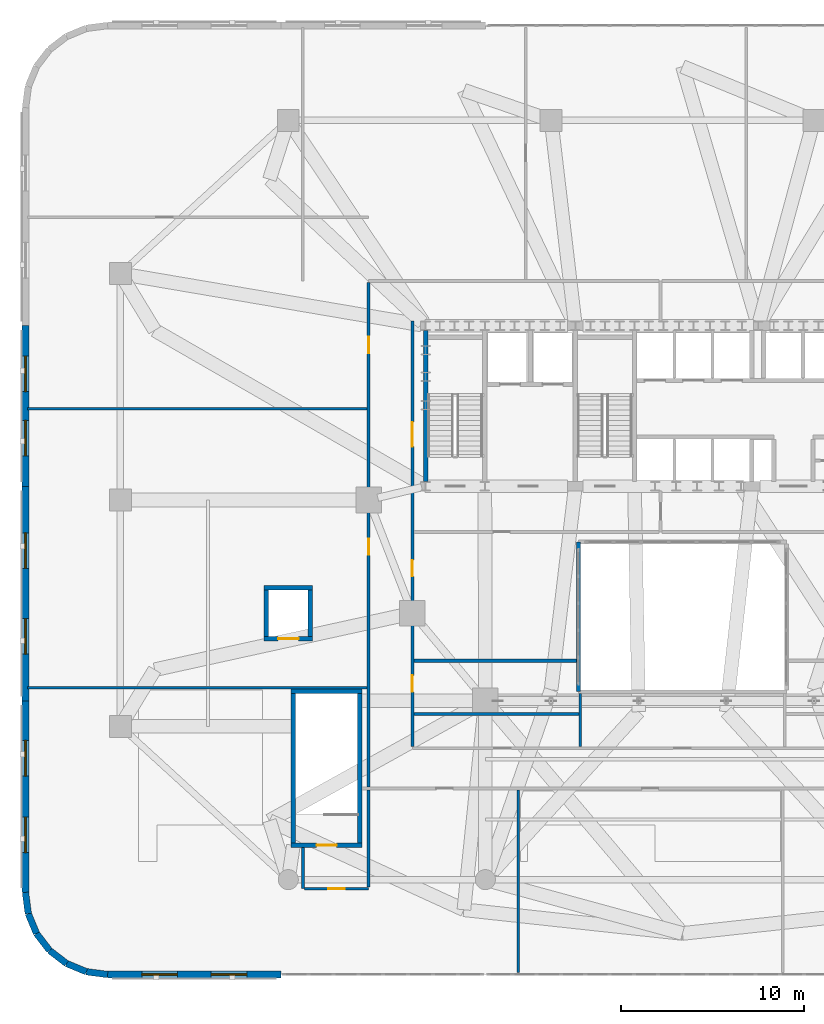
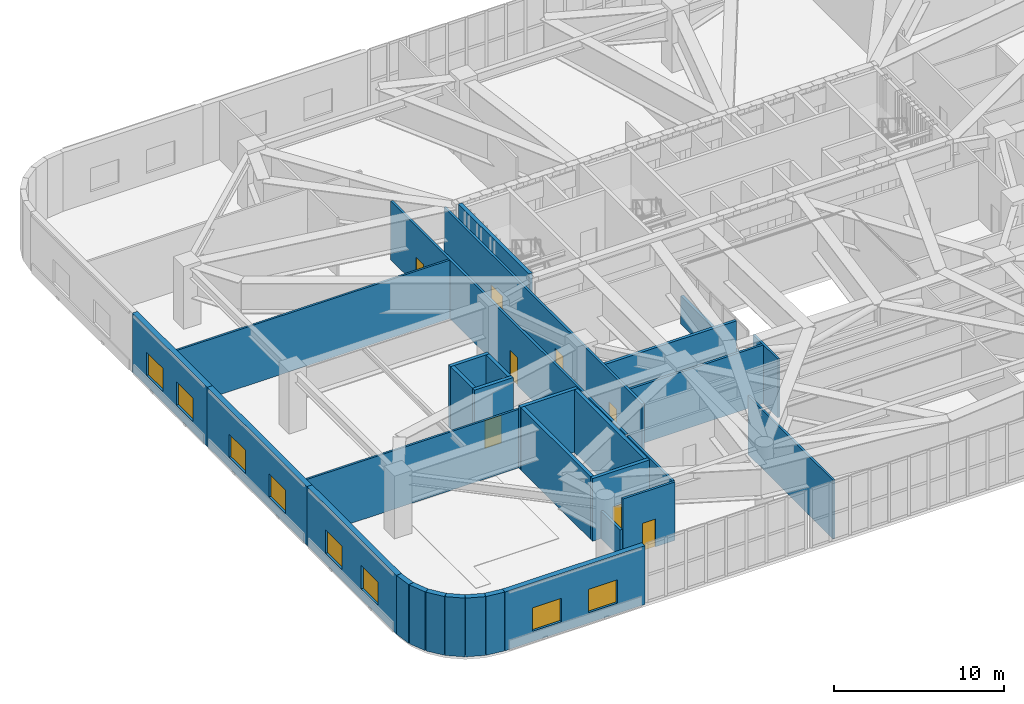
# One storey, part 15 of 26: 31 walls, 8 doors, 8 windows, 16 openings.
"""IFC4 building model written with IfcOpenShell, lengths in metres."""

from ifc_helpers import new_model, si_unit, direction, frame, frame_2d, origin, place, context, subcontext, project, spatial, rectangle, extrude, material, layer, layer_set, type_object, element, fill, save


model = new_model("IFC4")

# Units and contexts
model_context = context("Model", 3, precision=1e-05, world=origin(), true_north=direction((0.0, 1.0)))
body_context = subcontext(model_context, "Body", "Model", "MODEL_VIEW")
ifc_project = project(units=[si_unit("LENGTHUNIT", "METRE"), si_unit("AREAUNIT", "SQUARE_METRE"), si_unit("VOLUMEUNIT", "CUBIC_METRE"), si_unit("PLANEANGLEUNIT", "RADIAN"), si_unit("MASSUNIT", "GRAM", prefix="KILO")], contexts=[model_context])

# Site, building, storey
site_placement = place(None, origin())
site = spatial("IfcSite", under=ifc_project, at=site_placement, CompositionType="ELEMENT")
building_placement = place(site_placement, origin())
building = spatial("IfcBuilding", under=site, at=building_placement, Name="Haldorwick Loom Tower", CompositionType="ELEMENT")
storey_placement = place(building_placement, frame((0.0, 0.0, 19.5)))
storey = spatial("IfcBuildingStorey", under=building, at=storey_placement, Name="L04", CompositionType="ELEMENT", Elevation=19.5)

# Wall, openings, windows
ifc_material_1 = material(Name="Pressed Clay Face Brick and Insulated Masonry Backup Assembly", Category="masonry")
ifc_layer_1 = layer(ifc_material_1, 0.360107421875, Name="Pressed Clay Face Brick and Insulated Masonry Backup Assembly", Category="masonry")
ifc_layer_set_1 = layer_set([ifc_layer_1], Name="Pressed Clay Face Brick and Insulated Masonry Backup Assembly")
wall_type_1 = type_object("IfcWallType", Name="ARC-WL-EXT360", PredefinedType="STANDARD", material=ifc_layer_set_1)
wall_1_placement = place(storey_placement, frame((0.0, 35.550048828125, 0.0), z_axis=(0.0, 0.0, 1.0), x_axis=(0.0, -1.0, 0.0)))
wall_1 = element("IfcWall", 1, at=wall_1_placement, inside=storey, type_object=wall_type_1, Name="L04 Brick Pier and Spandrel Wall 29", PredefinedType="STANDARD", context=body_context, shape_type="SweptSolid", body=[
    extrude(rectangle(XDim=8.800048828125, YDim=0.360107421875, at=frame_2d((4.39990234375, 0.0))), origin(), (0.0, 0.0, 1.0), 4.219970703125),
])
opening_1_placement = place(wall_1_placement, frame((1.6650390625, 0.0, 0.75)))
opening_1 = element("IfcOpeningElement", 2, at=opening_1_placement, cuts=wall_1, Name="Opening W-04B", PredefinedType="OPENING", context=body_context, shape_type="SweptSolid", body=[
    extrude(rectangle(XDim=1.949951171875, YDim=1.679931640625, at=frame_2d((0.97509765625, 0.83984375))), frame((0.0, 0.18994140625, 0.0), z_axis=(0.0, -1.0, 0.0), x_axis=(1.0, 0.0, 0.0)), (0.0, 0.0, 1.0), 0.380126953125),
])
opening_2_placement = place(wall_1_placement, frame((5.18505859375, 0.0, 0.75)))
opening_2 = element("IfcOpeningElement", 3, at=opening_2_placement, cuts=wall_1, Name="Opening W-04B", PredefinedType="OPENING", context=body_context, shape_type="SweptSolid", body=[
    extrude(rectangle(XDim=1.949951171875, YDim=1.679931640625, at=frame_2d((0.97509765625, 0.83984375))), frame((0.0, 0.18994140625, 0.0), z_axis=(0.0, -1.0, 0.0), x_axis=(1.0, 0.0, 0.0)), (0.0, 0.0, 1.0), 0.380126953125),
])
ifc_material_2 = material(Name="Triple-Glazed Low-E Argon Insulated Glazing Unit", Category="glass")
window_type = type_object("IfcWindowType", Name="ARC-WIN-W195", PartitioningType="SINGLE_PANEL", PredefinedType="WINDOW", material=ifc_material_2)
window_1_placement = place(opening_1_placement, origin())
window_1 = element("IfcWindow", 4, at=window_1_placement, inside=storey, type_object=window_type, Name="L04 Deep-Set Zone 7A Window 29", OverallHeight=1.679931640625, OverallWidth=1.949951171875, PartitioningType="SINGLE_PANEL", PredefinedType="WINDOW", context=body_context, shape_type="SweptSolid", body=[
    extrude(rectangle(XDim=1.949951171875, YDim=1.679931640625, at=frame_2d((0.97509765625, 0.83984375))), frame((0.0, 0.030029296875, 0.0), z_axis=(0.0, -1.0, 0.0), x_axis=(1.0, 0.0, 0.0)), (0.0, 0.0, 1.0), 0.06005859375),
])
fill(opening_1, window_1)
window_2_placement = place(opening_2_placement, origin())
window_2 = element("IfcWindow", 5, at=window_2_placement, inside=storey, type_object=window_type, Name="L04 Deep-Set Zone 7A Window 29", OverallHeight=1.679931640625, OverallWidth=1.949951171875, PartitioningType="SINGLE_PANEL", PredefinedType="WINDOW", context=body_context, shape_type="SweptSolid", body=[
    extrude(rectangle(XDim=1.949951171875, YDim=1.679931640625, at=frame_2d((0.97509765625, 0.83984375))), frame((0.0, 0.030029296875, 0.0), z_axis=(0.0, -1.0, 0.0), x_axis=(1.0, 0.0, 0.0)), (0.0, 0.0, 1.0), 0.06005859375),
])
fill(opening_2, window_2)

wall_2_placement = place(storey_placement, frame((0.0, 26.75, 0.0), z_axis=(0.0, 0.0, 1.0), x_axis=(0.0, -1.0, 0.0)))
wall_2 = element("IfcWall", 6, at=wall_2_placement, inside=storey, type_object=wall_type_1, Name="L04 Brick Pier and Spandrel Wall 30", PredefinedType="STANDARD", context=body_context, shape_type="SweptSolid", body=[
    extrude(rectangle(XDim=11.75, YDim=0.360107421875, at=frame_2d((5.875, 0.0))), origin(), (0.0, 0.0, 1.0), 4.219970703125),
])
opening_3_placement = place(wall_2_placement, frame((2.550048828125, 0.0, 0.75)))
opening_3 = element("IfcOpeningElement", 7, at=opening_3_placement, cuts=wall_2, Name="Opening W-04B", PredefinedType="OPENING", context=body_context, shape_type="SweptSolid", body=[
    extrude(rectangle(XDim=1.949951171875, YDim=1.679931640625, at=frame_2d((0.97509765625, 0.83984375))), frame((0.0, 0.18994140625, 0.0), z_axis=(0.0, -1.0, 0.0), x_axis=(1.0, 0.0, 0.0)), (0.0, 0.0, 1.0), 0.380126953125),
])
opening_4_placement = place(wall_2_placement, frame((7.25, 0.0, 0.75)))
opening_4 = element("IfcOpeningElement", 8, at=opening_4_placement, cuts=wall_2, Name="Opening W-04B", PredefinedType="OPENING", context=body_context, shape_type="SweptSolid", body=[
    extrude(rectangle(XDim=1.949951171875, YDim=1.679931640625, at=frame_2d((0.97509765625, 0.83984375))), frame((0.0, 0.18994140625, 0.0), z_axis=(0.0, -1.0, 0.0), x_axis=(1.0, 0.0, 0.0)), (0.0, 0.0, 1.0), 0.380126953125),
])
window_3_placement = place(opening_3_placement, origin())
window_3 = element("IfcWindow", 9, at=window_3_placement, inside=storey, type_object=window_type, Name="L04 Deep-Set Zone 7A Window 30", OverallHeight=1.679931640625, OverallWidth=1.949951171875, PartitioningType="SINGLE_PANEL", PredefinedType="WINDOW", context=body_context, shape_type="SweptSolid", body=[
    extrude(rectangle(XDim=1.949951171875, YDim=1.679931640625, at=frame_2d((0.97509765625, 0.83984375))), frame((0.0, 0.030029296875, 0.0), z_axis=(0.0, -1.0, 0.0), x_axis=(1.0, 0.0, 0.0)), (0.0, 0.0, 1.0), 0.06005859375),
])
fill(opening_3, window_3)
window_4_placement = place(opening_4_placement, origin())
window_4 = element("IfcWindow", 10, at=window_4_placement, inside=storey, type_object=window_type, Name="L04 Deep-Set Zone 7A Window 30", OverallHeight=1.679931640625, OverallWidth=1.949951171875, PartitioningType="SINGLE_PANEL", PredefinedType="WINDOW", context=body_context, shape_type="SweptSolid", body=[
    extrude(rectangle(XDim=1.949951171875, YDim=1.679931640625, at=frame_2d((0.97509765625, 0.83984375))), frame((0.0, 0.030029296875, 0.0), z_axis=(0.0, -1.0, 0.0), x_axis=(1.0, 0.0, 0.0)), (0.0, 0.0, 1.0), 0.06005859375),
])
fill(opening_4, window_4)

wall_3_placement = place(storey_placement, frame((0.0, 15.0, 0.0), z_axis=(0.0, 0.0, 1.0), x_axis=(0.0, -1.0, 0.0)))
wall_3 = element("IfcWall", 11, at=wall_3_placement, inside=storey, type_object=wall_type_1, Name="L04 Brick Pier and Spandrel Wall 31", PredefinedType="STANDARD", context=body_context, shape_type="SweptSolid", body=[
    extrude(rectangle(XDim=10.5, YDim=0.360107421875, at=frame_2d((5.25, 0.0))), origin(), (0.0, 0.0, 1.0), 4.219970703125),
])
opening_5_placement = place(wall_3_placement, frame((2.175048828125, 0.0, 0.75)))
opening_5 = element("IfcOpeningElement", 12, at=opening_5_placement, cuts=wall_3, Name="Opening W-04B", PredefinedType="OPENING", context=body_context, shape_type="SweptSolid", body=[
    extrude(rectangle(XDim=1.949951171875, YDim=1.679931640625, at=frame_2d((0.97509765625, 0.83984375))), frame((0.0, 0.18994140625, 0.0), z_axis=(0.0, -1.0, 0.0), x_axis=(1.0, 0.0, 0.0)), (0.0, 0.0, 1.0), 0.380126953125),
])
opening_6_placement = place(wall_3_placement, frame((6.375, 0.0, 0.75)))
opening_6 = element("IfcOpeningElement", 13, at=opening_6_placement, cuts=wall_3, Name="Opening W-04B", PredefinedType="OPENING", context=body_context, shape_type="SweptSolid", body=[
    extrude(rectangle(XDim=1.949951171875, YDim=1.679931640625, at=frame_2d((0.97509765625, 0.83984375))), frame((0.0, 0.18994140625, 0.0), z_axis=(0.0, -1.0, 0.0), x_axis=(1.0, 0.0, 0.0)), (0.0, 0.0, 1.0), 0.380126953125),
])
window_5_placement = place(opening_5_placement, origin())
window_5 = element("IfcWindow", 14, at=window_5_placement, inside=storey, type_object=window_type, Name="L04 Deep-Set Zone 7A Window 31", OverallHeight=1.679931640625, OverallWidth=1.949951171875, PartitioningType="SINGLE_PANEL", PredefinedType="WINDOW", context=body_context, shape_type="SweptSolid", body=[
    extrude(rectangle(XDim=1.949951171875, YDim=1.679931640625, at=frame_2d((0.97509765625, 0.83984375))), frame((0.0, 0.030029296875, 0.0), z_axis=(0.0, -1.0, 0.0), x_axis=(1.0, 0.0, 0.0)), (0.0, 0.0, 1.0), 0.06005859375),
])
fill(opening_5, window_5)
window_6_placement = place(opening_6_placement, origin())
window_6 = element("IfcWindow", 15, at=window_6_placement, inside=storey, type_object=window_type, Name="L04 Deep-Set Zone 7A Window 31", OverallHeight=1.679931640625, OverallWidth=1.949951171875, PartitioningType="SINGLE_PANEL", PredefinedType="WINDOW", context=body_context, shape_type="SweptSolid", body=[
    extrude(rectangle(XDim=1.949951171875, YDim=1.679931640625, at=frame_2d((0.97509765625, 0.83984375))), frame((0.0, 0.030029296875, 0.0), z_axis=(0.0, -1.0, 0.0), x_axis=(1.0, 0.0, 0.0)), (0.0, 0.0, 1.0), 0.06005859375),
])
fill(opening_6, window_6)

# Walls
wall_4_placement = place(storey_placement, frame((0.0, 4.5, 0.0), z_axis=(0.0, 0.0, 1.0), x_axis=(0.130502892298, -0.991447928588, 0.0)))
element("IfcWall", 16, at=wall_4_placement, inside=storey, type_object=wall_type_1, Name="L04 Brick Pier and Spandrel Wall 32", PredefinedType="STANDARD", context=body_context, shape_type="SweptSolid", body=[
    extrude(rectangle(XDim=1.1748046875, YDim=0.360107421875, at=frame_2d((0.58740234375, 0.0))), origin(), (0.0, 0.0, 1.0), 4.219970703125),
])
wall_5_placement = place(storey_placement, frame((0.1533203125, 3.335205078125, 0.0), z_axis=(0.0, 0.0, 1.0), x_axis=(0.382651625058, -0.923892706888, 0.0)))
element("IfcWall", 17, at=wall_5_placement, inside=storey, type_object=wall_type_1, Name="L04 Brick Pier and Spandrel Wall 33", PredefinedType="STANDARD", context=body_context, shape_type="SweptSolid", body=[
    extrude(rectangle(XDim=1.174560546875, YDim=0.360107421875, at=frame_2d((0.58740234375, 0.0))), origin(), (0.0, 0.0, 1.0), 4.219970703125),
])
for number, where, z_axis, x_axis, name in (
    (18, (0.602783203125, 2.25, 0.0), (0.0, 0.0, 1.0), (0.60890698735, -0.79324162823, 0.0), "L04 Brick Pier and Spandrel Wall 34"),
    (19, (1.318115234375, 1.318115234375, 0.0), (0.0, 0.0, 1.0), (0.79324162823, -0.60890698735, 0.0), "L04 Brick Pier and Spandrel Wall 35"),
):
    element("IfcWall", number, at=place(storey_placement, frame(where, z_axis=z_axis, x_axis=x_axis)), inside=storey, type_object=wall_type_1, Name=name, PredefinedType="STANDARD", context=body_context, shape_type="SweptSolid", body=[
        extrude(rectangle(XDim=1.1748046875, YDim=0.360107421875, at=frame_2d((0.58740234375, 0.0))), origin(), (0.0, 0.0, 1.0), 4.219970703125),
    ])
wall_6_placement = place(storey_placement, frame((2.25, 0.602783203125, 0.0), z_axis=(0.0, 0.0, 1.0), x_axis=(0.923892706888, -0.382651625058, 0.0)))
element("IfcWall", 20, at=wall_6_placement, inside=storey, type_object=wall_type_1, Name="L04 Brick Pier and Spandrel Wall 36", PredefinedType="STANDARD", context=body_context, shape_type="SweptSolid", body=[
    extrude(rectangle(XDim=1.174560546875, YDim=0.360107421875, at=frame_2d((0.58740234375, 0.0))), origin(), (0.0, 0.0, 1.0), 4.219970703125),
])
wall_7_placement = place(storey_placement, frame((3.335205078125, 0.1533203125, 0.0), z_axis=(0.0, 0.0, 1.0), x_axis=(0.991447928588, -0.130502892298, 0.0)))
element("IfcWall", 21, at=wall_7_placement, inside=storey, type_object=wall_type_1, Name="L04 Brick Pier and Spandrel Wall 37", PredefinedType="STANDARD", context=body_context, shape_type="SweptSolid", body=[
    extrude(rectangle(XDim=1.1748046875, YDim=0.360107421875, at=frame_2d((0.58740234375, 0.0))), origin(), (0.0, 0.0, 1.0), 4.219970703125),
])

# Wall, openings, windows
wall_8_placement = place(storey_placement, frame((4.5, 0.0, 0.0), z_axis=(0.0, 0.0, 1.0), x_axis=(1.0, 0.0, 0.0)))
wall_8 = element("IfcWall", 22, at=wall_8_placement, inside=storey, type_object=wall_type_1, Name="L04 Brick Pier and Spandrel Wall 38", PredefinedType="STANDARD", context=body_context, shape_type="SweptSolid", body=[
    extrude(rectangle(XDim=9.5, YDim=0.360107421875, at=frame_2d((4.75, 0.0))), origin(), (0.0, 0.0, 1.0), 4.219970703125),
])
opening_7_placement = place(wall_8_placement, frame((1.875, 0.0, 0.75)))
opening_7 = element("IfcOpeningElement", 23, at=opening_7_placement, cuts=wall_8, Name="Opening W-04B", PredefinedType="OPENING", context=body_context, shape_type="SweptSolid", body=[
    extrude(rectangle(XDim=1.949951171875, YDim=1.679931640625, at=frame_2d((0.97509765625, 0.83984375))), frame((0.0, 0.18994140625, 0.0), z_axis=(0.0, -1.0, 0.0), x_axis=(1.0, 0.0, 0.0)), (0.0, 0.0, 1.0), 0.380126953125),
])
opening_8_placement = place(wall_8_placement, frame((5.675048828125, 0.0, 0.75)))
opening_8 = element("IfcOpeningElement", 24, at=opening_8_placement, cuts=wall_8, Name="Opening W-04B", PredefinedType="OPENING", context=body_context, shape_type="SweptSolid", body=[
    extrude(rectangle(XDim=1.949951171875, YDim=1.679931640625, at=frame_2d((0.97509765625, 0.83984375))), frame((0.0, 0.18994140625, 0.0), z_axis=(0.0, -1.0, 0.0), x_axis=(1.0, 0.0, 0.0)), (0.0, 0.0, 1.0), 0.380126953125),
])
window_7_placement = place(opening_7_placement, origin())
window_7 = element("IfcWindow", 25, at=window_7_placement, inside=storey, type_object=window_type, Name="L04 Deep-Set Zone 7A Window 38", OverallHeight=1.679931640625, OverallWidth=1.949951171875, PartitioningType="SINGLE_PANEL", PredefinedType="WINDOW", context=body_context, shape_type="SweptSolid", body=[
    extrude(rectangle(XDim=1.949951171875, YDim=1.679931640625, at=frame_2d((0.97509765625, 0.83984375))), frame((0.0, 0.030029296875, 0.0), z_axis=(0.0, -1.0, 0.0), x_axis=(1.0, 0.0, 0.0)), (0.0, 0.0, 1.0), 0.06005859375),
])
fill(opening_7, window_7)
window_8_placement = place(opening_8_placement, origin())
window_8 = element("IfcWindow", 26, at=window_8_placement, inside=storey, type_object=window_type, Name="L04 Deep-Set Zone 7A Window 38", OverallHeight=1.679931640625, OverallWidth=1.949951171875, PartitioningType="SINGLE_PANEL", PredefinedType="WINDOW", context=body_context, shape_type="SweptSolid", body=[
    extrude(rectangle(XDim=1.949951171875, YDim=1.679931640625, at=frame_2d((0.97509765625, 0.83984375))), frame((0.0, 0.030029296875, 0.0), z_axis=(0.0, -1.0, 0.0), x_axis=(1.0, 0.0, 0.0)), (0.0, 0.0, 1.0), 0.06005859375),
])
fill(opening_8, window_8)

# Wall
ifc_material_3 = material(Name="Fire-Rated Type X Gypsum Stud Assembly EI 60")
ifc_layer_2 = layer(ifc_material_3, 0.159912109375, Name="Fire-Rated Type X Gypsum Stud Assembly EI 60")
ifc_layer_set_2 = layer_set([ifc_layer_2], Name="Fire-Rated Type X Gypsum Stud Assembly EI 60")
wall_type_2 = type_object("IfcWallType", Name="ARC-WL-FIRE160", PredefinedType="PARTITIONING", material=ifc_layer_set_2)
wall_9_placement = place(storey_placement, frame((15.199951171875, 4.699951171875, 0.0), z_axis=(0.0, 0.0, 1.0), x_axis=(0.0, 1.0, 0.0)))
element("IfcWall", 27, at=wall_9_placement, inside=storey, type_object=wall_type_2, Name="L04 Podium Partition L04-SP1W", PredefinedType="PARTITIONING", context=body_context, shape_type="SweptSolid", body=[
    extrude(rectangle(XDim=2.257080078125, YDim=0.159912109375, at=frame_2d((1.12841796875, 0.0))), origin(), (0.0, 0.0, 1.0), 1.9951171875),
])

# Wall, opening, door
wall_10_placement = place(storey_placement, frame((15.282958984375, 4.699951171875, 0.0), z_axis=(0.0, 0.0, 1.0), x_axis=(1.0, 0.0, 0.0)))
wall_10 = element("IfcWall", 28, at=wall_10_placement, inside=storey, type_object=wall_type_2, Name="L04 Podium Partition L04-SP1S", PredefinedType="PARTITIONING", context=body_context, shape_type="SweptSolid", body=[
    extrude(rectangle(XDim=3.51708984375, YDim=0.159912109375, at=frame_2d((1.758544921875, 0.0))), origin(), (0.0, 0.0, 1.0), 4.205078125),
])
opening_9_placement = place(wall_10_placement, frame((1.30859375, 0.0, 0.0)))
opening_9 = element("IfcOpeningElement", 29, at=opening_9_placement, cuts=wall_10, Name="Opening D-FD60A", PredefinedType="OPENING", context=body_context, shape_type="SweptSolid", body=[
    extrude(rectangle(XDim=0.89990234375, YDim=2.0, at=frame_2d((0.449951171875, 1.0))), frame((0.0, 0.08984375, 0.0), z_axis=(0.0, -1.0, 0.0), x_axis=(1.0, 0.0, 0.0)), (0.0, 0.0, 1.0), 0.179931640625),
])
ifc_material_4 = material(Name="Hollow Steel Fire Door Assembly", Category="steel")
door_type_1 = type_object("IfcDoorType", Name="ARC-DR-FD60-90", OperationType="NOTDEFINED", PredefinedType="DOOR", material=ifc_material_4)
door_1_placement = place(opening_9_placement, frame((0.89990234375, 0.0, 0.0), z_axis=(0.0, 0.0, 1.0), x_axis=(-1.0, 0.0, 0.0)))
door_1 = element("IfcDoor", 30, at=door_1_placement, inside=storey, type_object=door_type_1, Name="L04 L04 West Stair Vestibule to Senior Day Health Hall 5 Door", OperationType="SINGLE_SWING_LEFT", OverallHeight=2.0, OverallWidth=0.89990234375, PredefinedType="DOOR", context=body_context, shape_type="SweptSolid", body=[
    extrude(rectangle(XDim=0.89990234375, YDim=2.0, at=frame_2d((0.449951171875, 1.0))), frame((0.0, 0.02490234375, 0.0), z_axis=(0.0, -1.0, 0.0), x_axis=(1.0, 0.0, 0.0)), (0.0, 0.0, 1.0), 0.050048828125),
])
fill(opening_9, door_1)

# Wall
wall_11_placement = place(storey_placement, frame((18.800048828125, 4.782958984375, 0.0), z_axis=(0.0, 0.0, 1.0), x_axis=(0.0, 1.0, 0.0)))
element("IfcWall", 31, at=wall_11_placement, inside=storey, type_object=wall_type_2, Name="L04 Podium Partition L04-SP1E", PredefinedType="PARTITIONING", context=body_context, shape_type="SweptSolid", body=[
    extrude(rectangle(XDim=5.333984375, YDim=0.159912109375, at=frame_2d((2.6669921875, 0.0))), origin(), (0.0, 0.0, 1.0), 4.205078125),
])

# Wall, openings, doors
wall_12_placement = place(storey_placement, frame((18.800048828125, 10.282958984375, 0.0), z_axis=(0.0, 0.0, 1.0), x_axis=(0.0, 1.0, 0.0)))
wall_12 = element("IfcWall", 32, at=wall_12_placement, inside=storey, type_object=wall_type_2, Name="L04 Podium Partition L04-CW0", PredefinedType="PARTITIONING", context=body_context, shape_type="SweptSolid", body=[
    extrude(rectangle(XDim=27.634033203125, YDim=0.159912109375, at=frame_2d((13.81689453125, 0.0))), origin(), (0.0, 0.0, 1.0), 4.205078125),
])
opening_10_placement = place(wall_12_placement, frame((12.703857421875, 0.0, 0.0)))
opening_10 = element("IfcOpeningElement", 33, at=opening_10_placement, cuts=wall_12, Name="Opening D-FD60A", PredefinedType="OPENING", context=body_context, shape_type="SweptSolid", body=[
    extrude(rectangle(XDim=0.89990234375, YDim=2.0, at=frame_2d((0.449951171875, 1.0))), frame((0.0, 0.08984375, 0.0), z_axis=(0.0, -1.0, 0.0), x_axis=(1.0, 0.0, 0.0)), (0.0, 0.0, 1.0), 0.179931640625),
])
opening_11_placement = place(wall_12_placement, frame((23.75732421875, 0.0, 0.0)))
opening_11 = element("IfcOpeningElement", 34, at=opening_11_placement, cuts=wall_12, Name="Opening D-FD60A", PredefinedType="OPENING", context=body_context, shape_type="SweptSolid", body=[
    extrude(rectangle(XDim=0.89990234375, YDim=2.0, at=frame_2d((0.449951171875, 1.0))), frame((0.0, 0.08984375, 0.0), z_axis=(0.0, -1.0, 0.0), x_axis=(1.0, 0.0, 0.0)), (0.0, 0.0, 1.0), 0.179931640625),
])
door_2_placement = place(opening_10_placement, frame((0.89990234375, 0.0, 0.0), z_axis=(0.0, 0.0, 1.0), x_axis=(-1.0, 0.0, 0.0)))
door_2 = element("IfcDoor", 35, at=door_2_placement, inside=storey, type_object=door_type_1, Name="L04 Health Program Office 14 to L04 South Clinic Corridor Door", OperationType="SINGLE_SWING_RIGHT", OverallHeight=2.0, OverallWidth=0.89990234375, PredefinedType="DOOR", context=body_context, shape_type="SweptSolid", body=[
    extrude(rectangle(XDim=0.89990234375, YDim=2.0, at=frame_2d((0.449951171875, 1.0))), frame((0.0, 0.02490234375, 0.0), z_axis=(0.0, -1.0, 0.0), x_axis=(1.0, 0.0, 0.0)), (0.0, 0.0, 1.0), 0.050048828125),
])
fill(opening_10, door_2)
door_3_placement = place(opening_11_placement, frame((0.89990234375, 0.0, 0.0), z_axis=(0.0, 0.0, 1.0), x_axis=(-1.0, 0.0, 0.0)))
door_3 = element("IfcDoor", 36, at=door_3_placement, inside=storey, type_object=door_type_1, Name="L04 Senior Day Health Hall 21 to L04 South Clinic Corridor Door", OperationType="SINGLE_SWING_LEFT", OverallHeight=2.0, OverallWidth=0.89990234375, PredefinedType="DOOR", context=body_context, shape_type="SweptSolid", body=[
    extrude(rectangle(XDim=0.89990234375, YDim=2.0, at=frame_2d((0.449951171875, 1.0))), frame((0.0, 0.02490234375, 0.0), z_axis=(0.0, -1.0, 0.0), x_axis=(1.0, 0.0, 0.0)), (0.0, 0.0, 1.0), 0.050048828125),
])
fill(opening_11, door_3)

wall_13_placement = place(storey_placement, frame((21.199951171875, 12.48291015625, 0.0), z_axis=(0.0, 0.0, 1.0), x_axis=(0.0, 1.0, 0.0)))
wall_13 = element("IfcWall", 37, at=wall_13_placement, inside=storey, type_object=wall_type_2, Name="L04 Podium Partition L04-CW1", PredefinedType="PARTITIONING", context=body_context, shape_type="SweptSolid", body=[
    extrude(rectangle(XDim=23.317138671875, YDim=0.159912109375, at=frame_2d((11.65869140625, 0.0))), origin(), (0.0, 0.0, 1.0), 4.205078125),
])
opening_12_placement = place(wall_13_placement, frame((16.43603515625, 0.0, 0.0)))
opening_12 = element("IfcOpeningElement", 38, at=opening_12_placement, cuts=wall_13, Name="Opening D-CR15", PredefinedType="OPENING", context=body_context, shape_type="SweptSolid", body=[
    extrude(rectangle(XDim=1.35009765625, YDim=2.0, at=frame_2d((0.675048828125, 1.0))), frame((0.0, 0.08984375, 0.0), z_axis=(0.0, -1.0, 0.0), x_axis=(1.0, 0.0, 0.0)), (0.0, 0.0, 1.0), 0.179931640625),
])
opening_13_placement = place(wall_13_placement, frame((9.326904296875, 0.0, 0.0)))
opening_13 = element("IfcOpeningElement", 39, at=opening_13_placement, cuts=wall_13, Name="Opening D-FD60A", PredefinedType="OPENING", context=body_context, shape_type="SweptSolid", body=[
    extrude(rectangle(XDim=0.89990234375, YDim=2.0, at=frame_2d((0.449951171875, 1.0))), frame((0.0, 0.08984375, 0.0), z_axis=(0.0, -1.0, 0.0), x_axis=(1.0, 0.0, 0.0)), (0.0, 0.0, 1.0), 0.179931640625),
])
opening_14_placement = place(wall_13_placement, frame((3.0078125, 0.0, 0.0)))
opening_14 = element("IfcOpeningElement", 40, at=opening_14_placement, cuts=wall_13, Name="Opening D-FD60A", PredefinedType="OPENING", context=body_context, shape_type="SweptSolid", body=[
    extrude(rectangle(XDim=0.89990234375, YDim=2.0, at=frame_2d((0.449951171875, 1.0))), frame((0.0, 0.08984375, 0.0), z_axis=(0.0, -1.0, 0.0), x_axis=(1.0, 0.0, 0.0)), (0.0, 0.0, 1.0), 0.179931640625),
])
ifc_material_5 = material(Name="Thermally Broken Anodized Aluminium and Tempered Glass", Category="aluminium")
door_type_2 = type_object("IfcDoorType", Name="ARC-DR-COR150", OperationType="NOTDEFINED", PredefinedType="DOOR", material=ifc_material_5)
door_4_placement = place(opening_12_placement, origin())
door_4 = element("IfcDoor", 41, at=door_4_placement, inside=storey, type_object=door_type_2, Name="L04 L04 South Clinic Corridor to L04 West Core Corridor Door", OperationType="DOUBLE_DOOR_SINGLE_SWING", OverallHeight=2.0, OverallWidth=1.35009765625, PredefinedType="DOOR", context=body_context, shape_type="SweptSolid", body=[
    extrude(rectangle(XDim=1.35009765625, YDim=2.0, at=frame_2d((0.675048828125, 1.0))), frame((0.0, 0.02490234375, 0.0), z_axis=(0.0, -1.0, 0.0), x_axis=(1.0, 0.0, 0.0)), (0.0, 0.0, 1.0), 0.050048828125),
])
fill(opening_12, door_4)
door_5_placement = place(opening_13_placement, frame((0.89990234375, 0.0, 0.0), z_axis=(0.0, 0.0, 1.0), x_axis=(-1.0, 0.0, 0.0)))
door_5 = element("IfcDoor", 42, at=door_5_placement, inside=storey, type_object=door_type_1, Name="L04 L04 South Clinic Corridor to Medical Archive Store 12 Door", OperationType="SINGLE_SWING_LEFT", OverallHeight=2.0, OverallWidth=0.89990234375, PredefinedType="DOOR", context=body_context, shape_type="SweptSolid", body=[
    extrude(rectangle(XDim=0.89990234375, YDim=2.0, at=frame_2d((0.449951171875, 1.0))), frame((0.0, 0.02490234375, 0.0), z_axis=(0.0, -1.0, 0.0), x_axis=(1.0, 0.0, 0.0)), (0.0, 0.0, 1.0), 0.050048828125),
])
fill(opening_13, door_5)
door_6_placement = place(opening_14_placement, frame((0.89990234375, 0.0, 0.0), z_axis=(0.0, 0.0, 1.0), x_axis=(-1.0, 0.0, 0.0)))
door_6 = element("IfcDoor", 43, at=door_6_placement, inside=storey, type_object=door_type_1, Name="L04 L04 South Clinic Corridor to Transfer Girder Mechanical Plant 9 Door", OperationType="SINGLE_SWING_LEFT", OverallHeight=2.0, OverallWidth=0.89990234375, PredefinedType="DOOR", context=body_context, shape_type="SweptSolid", body=[
    extrude(rectangle(XDim=0.89990234375, YDim=2.0, at=frame_2d((0.449951171875, 1.0))), frame((0.0, 0.02490234375, 0.0), z_axis=(0.0, -1.0, 0.0), x_axis=(1.0, 0.0, 0.0)), (0.0, 0.0, 1.0), 0.050048828125),
])
fill(opening_14, door_6)

# Walls
wall_14_placement = place(storey_placement, frame((21.282958984375, 14.264892578125, 0.0), z_axis=(0.0, 0.0, 1.0), x_axis=(1.0, 0.0, 0.0)))
element("IfcWall", 44, at=wall_14_placement, inside=storey, type_object=wall_type_2, Name="L04 Podium Partition L04-PTW", PredefinedType="PARTITIONING", context=body_context, shape_type="SweptSolid", body=[
    extrude(rectangle(XDim=9.0439453125, YDim=0.159912109375, at=frame_2d((4.52197265625, 0.0))), origin(), (0.0, 0.0, 1.0), 4.205078125),
])
ifc_material_6 = material(Name="Fire-Rated Type X Gypsum Stud Assembly EI 120")
ifc_layer_3 = layer(ifc_material_6, 0.199951171875, Name="Fire-Rated Type X Gypsum Stud Assembly EI 120")
ifc_layer_set_3 = layer_set([ifc_layer_3], Name="Fire-Rated Type X Gypsum Stud Assembly EI 120")
wall_type_3 = type_object("IfcWallType", Name="ARC-WL-FIRE200", PredefinedType="PARTITIONING", material=ifc_layer_set_3)
wall_15_placement = place(storey_placement, frame((30.300048828125, 15.5, 0.0), z_axis=(0.0, 0.0, 1.0), x_axis=(0.0, 1.0, 0.0)))
element("IfcWall", 45, at=wall_15_placement, inside=storey, type_object=wall_type_3, Name="L04 Podium Atrium Wall", PredefinedType="PARTITIONING", context=body_context, shape_type="SweptSolid", body=[
    extrude(rectangle(XDim=8.199951171875, YDim=0.199951171875, at=frame_2d((4.10009765625, 0.0))), origin(), (0.0, 0.0, 1.0), 1.9951171875),
])
wall_16_placement = place(storey_placement, frame((21.282958984375, 17.199951171875, 0.0), z_axis=(0.0, 0.0, 1.0), x_axis=(1.0, 0.0, 0.0)))
element("IfcWall", 46, at=wall_16_placement, inside=storey, type_object=wall_type_3, Name="L04 Podium Partition L04-TRM-N", PredefinedType="PARTITIONING", context=body_context, shape_type="SweptSolid", body=[
    extrude(rectangle(XDim=8.9140625, YDim=0.199951171875, at=frame_2d((4.45703125, 0.0))), origin(), (0.0, 0.0, 1.0), 4.205078125),
])
ifc_layer_4 = layer(ifc_material_3, 0.139892578125, Name="Fire-Rated Type X Gypsum Stud Assembly EI 60")
ifc_layer_set_4 = layer_set([ifc_layer_4], Name="Fire-Rated Type X Gypsum Stud Assembly EI 60")
wall_type_4 = type_object("IfcWallType", Name="ARC-WL-PART140", PredefinedType="PARTITIONING", material=ifc_layer_set_4)
wall_17_placement = place(storey_placement, frame((30.39990234375, 12.48291015625, 0.0), z_axis=(0.0, 0.0, 1.0), x_axis=(0.0, 1.0, 0.0)))
element("IfcWall", 47, at=wall_17_placement, inside=storey, type_object=wall_type_4, Name="L04 Podium Partition L04-ATW1", PredefinedType="PARTITIONING", context=body_context, shape_type="SweptSolid", body=[
    extrude(rectangle(XDim=2.9140625, YDim=0.139892578125, at=frame_2d((1.45703125, 0.0))), origin(), (0.0, 0.0, 1.0), 4.205078125),
])
wall_18_placement = place(storey_placement, frame((27.0, 0.10009765625, 0.0), z_axis=(0.0, 0.0, 1.0), x_axis=(0.0, 1.0, 0.0)))
element("IfcWall", 48, at=wall_18_placement, inside=storey, type_object=wall_type_4, Name="L04 Podium Partition L04-PS-0", PredefinedType="PARTITIONING", context=body_context, shape_type="SweptSolid", body=[
    extrude(rectangle(XDim=10.016845703125, YDim=0.139892578125, at=frame_2d((5.00830078125, 0.0))), origin(), (0.0, 0.0, 1.0), 4.205078125),
])
for number, where, z_axis, x_axis, name in (
    (49, (0.10009765625, 15.72509765625, 0.0), (0.0, 0.0, 1.0), (1.0, 0.0, 0.0), "L04 Podium Partition L04-PW-0"),
    (50, (0.10009765625, 31.0, 0.0), (0.0, 0.0, 1.0), (1.0, 0.0, 0.0), "L04 Podium Partition L04-PW-1"),
):
    element("IfcWall", number, at=place(storey_placement, frame(where, z_axis=z_axis, x_axis=x_axis)), inside=storey, type_object=wall_type_4, Name=name, PredefinedType="PARTITIONING", context=body_context, shape_type="SweptSolid", body=[
        extrude(rectangle(XDim=18.616943359375, YDim=0.139892578125, at=frame_2d((9.30859375, 0.0))), origin(), (0.0, 0.0, 1.0), 4.205078125),
    ])
ifc_material_7 = material(Name="Concrete C50 (50 MPa)", Category="concrete")
ifc_layer_5 = layer(ifc_material_7, 0.239990234375, Name="Concrete C50 (50 MPa)", Category="concrete")
ifc_layer_set_5 = layer_set([ifc_layer_5], Name="Concrete C50 (50 MPa)")
wall_type_5 = type_object("IfcWallType", Name="STR-WL-SHAFT240", PredefinedType="SHEAR", material=ifc_layer_set_5)
wall_19_placement = place(storey_placement, frame((21.929931640625, 35.297119140625, 0.0), z_axis=(0.0, 0.0, 1.0), x_axis=(0.0, -1.0, 0.0)))
element("IfcWall", 51, at=wall_19_placement, inside=storey, type_object=wall_type_5, Name="L04 Core Shear Wall W", PredefinedType="SHEAR", context=body_context, shape_type="SweptSolid", body=[
    extrude(rectangle(XDim=8.294189453125, YDim=0.239990234375, at=frame_2d((4.14697265625, 0.0))), origin(), (0.0, 0.0, 1.0), 4.5),
])

# Wall, opening, door
wall_20_placement = place(storey_placement, frame((14.56005859375, 7.080078125, 0.0), z_axis=(0.0, 0.0, 1.0), x_axis=(1.0, 0.0, 0.0)))
wall_20 = element("IfcWall", 52, at=wall_20_placement, inside=storey, type_object=wall_type_5, Name="L04 Exit Stairwell ST-P1 Wall", PredefinedType="SHEAR", context=body_context, shape_type="SweptSolid", body=[
    extrude(rectangle(XDim=3.8798828125, YDim=0.239990234375, at=frame_2d((1.93994140625, 0.0))), origin(), (0.0, 0.0, 1.0), 4.5),
])
opening_15_placement = place(wall_20_placement, frame((1.389892578125, 0.0, 0.0)))
opening_15 = element("IfcOpeningElement", 53, at=opening_15_placement, cuts=wall_20, Name="Opening D-FD90", PredefinedType="OPENING", context=body_context, shape_type="SweptSolid", body=[
    extrude(rectangle(XDim=1.10009765625, YDim=2.0, at=frame_2d((0.550048828125, 1.0))), frame((0.0, 0.1298828125, 0.0), z_axis=(0.0, -1.0, 0.0), x_axis=(1.0, 0.0, 0.0)), (0.0, 0.0, 1.0), 0.260009765625),
])
door_type_3 = type_object("IfcDoorType", Name="ARC-DR-FD90", OperationType="NOTDEFINED", PredefinedType="DOOR", material=ifc_material_4)
door_7_placement = place(opening_15_placement, origin())
door_7 = element("IfcDoor", 54, at=door_7_placement, inside=storey, type_object=door_type_3, Name="L04 Exit Stairwell ST-P1 Exit Door", OperationType="SINGLE_SWING_LEFT", OverallHeight=2.0, OverallWidth=1.10009765625, PredefinedType="DOOR", context=body_context, shape_type="SweptSolid", body=[
    extrude(rectangle(XDim=1.10009765625, YDim=2.0, at=frame_2d((0.550048828125, 1.0))), frame((0.0, 0.02490234375, 0.0), z_axis=(0.0, -1.0, 0.0), x_axis=(1.0, 0.0, 0.0)), (0.0, 0.0, 1.0), 0.050048828125),
])
fill(opening_15, door_7)

# Walls
wall_21_placement = place(storey_placement, frame((18.43994140625, 15.52001953125, 0.0), z_axis=(0.0, 0.0, 1.0), x_axis=(-1.0, 0.0, 0.0)))
element("IfcWall", 55, at=wall_21_placement, inside=storey, type_object=wall_type_5, Name="L04 Exit Stairwell ST-P1 Wall", PredefinedType="SHEAR", context=body_context, shape_type="SweptSolid", body=[
    extrude(rectangle(XDim=3.8798828125, YDim=0.239990234375, at=frame_2d((1.93994140625, 0.0))), origin(), (0.0, 0.0, 1.0), 4.5),
])
for number, where, z_axis, x_axis, name in (
    (56, (14.679931640625, 7.202880859375, 0.0), (0.0, 0.0, 1.0), (0.0, 1.0, 0.0), "L04 Exit Stairwell ST-P1 Wall"),
    (57, (18.320068359375, 7.202880859375, 0.0), (0.0, 0.0, 1.0), (0.0, 1.0, 0.0), "L04 Exit Stairwell ST-P1 Wall"),
):
    element("IfcWall", number, at=place(storey_placement, frame(where, z_axis=z_axis, x_axis=x_axis)), inside=storey, type_object=wall_type_5, Name=name, PredefinedType="SHEAR", context=body_context, shape_type="SweptSolid", body=[
        extrude(rectangle(XDim=8.194091796875, YDim=0.239990234375, at=frame_2d((4.09716796875, 0.0))), origin(), (0.0, 0.0, 1.0), 4.5),
    ])

# Wall, opening, door
wall_22_placement = place(storey_placement, frame((13.080078125, 18.39990234375, 0.0), z_axis=(0.0, 0.0, 1.0), x_axis=(1.0, 0.0, 0.0)))
wall_22 = element("IfcWall", 58, at=wall_22_placement, inside=storey, type_object=wall_type_5, Name="L04 Podium Lift Shaft LF-P1 Wall", PredefinedType="SHEAR", context=body_context, shape_type="SweptSolid", body=[
    extrude(rectangle(XDim=2.639892578125, YDim=0.239990234375, at=frame_2d((1.31982421875, 0.0))), origin(), (0.0, 0.0, 1.0), 4.5),
])
opening_16_placement = place(wall_22_placement, frame((0.760009765625, 0.0, 0.0)))
opening_16 = element("IfcOpeningElement", 59, at=opening_16_placement, cuts=wall_22, Name="Opening LD-P1", PredefinedType="OPENING", context=body_context, shape_type="SweptSolid", body=[
    extrude(rectangle(XDim=1.1201171875, YDim=2.0, at=frame_2d((0.56005859375, 1.0))), frame((0.0, 0.1298828125, 0.0), z_axis=(0.0, -1.0, 0.0), x_axis=(1.0, 0.0, 0.0)), (0.0, 0.0, 1.0), 0.260009765625),
])
door_type_4 = type_object("IfcDoorType", Name="ARC-DR-LD-PAX", OperationType="NOTDEFINED", PredefinedType="USERDEFINED", material=ifc_material_4)
door_8_placement = place(opening_16_placement, origin())
door_8 = element("IfcDoor", 60, at=door_8_placement, inside=storey, type_object=door_type_4, Name="L04 Lift LF-P1 Sliding Landing Door", ObjectType="LANDING DOOR", OperationType="DOUBLE_DOOR_SLIDING", OverallHeight=2.0, OverallWidth=1.1201171875, PredefinedType="USERDEFINED", context=body_context, shape_type="SweptSolid", body=[
    extrude(rectangle(XDim=1.1201171875, YDim=2.0, at=frame_2d((0.56005859375, 1.0))), frame((0.0, 0.02490234375, 0.0), z_axis=(0.0, -1.0, 0.0), x_axis=(1.0, 0.0, 0.0)), (0.0, 0.0, 1.0), 0.050048828125),
])
fill(opening_16, door_8)

# Walls
wall_23_placement = place(storey_placement, frame((15.719970703125, 21.199951171875, 0.0), z_axis=(0.0, 0.0, 1.0), x_axis=(-1.0, 0.0, 0.0)))
element("IfcWall", 61, at=wall_23_placement, inside=storey, type_object=wall_type_5, Name="L04 Podium Lift Shaft LF-P1 Wall", PredefinedType="SHEAR", context=body_context, shape_type="SweptSolid", body=[
    extrude(rectangle(XDim=2.639892578125, YDim=0.239990234375, at=frame_2d((1.31982421875, 0.0))), origin(), (0.0, 0.0, 1.0), 4.5),
])
for number, where, z_axis, x_axis, name in (
    (62, (13.199951171875, 18.52294921875, 0.0), (0.0, 0.0, 1.0), (0.0, 1.0, 0.0), "L04 Podium Lift Shaft LF-P1 Wall"),
    (63, (15.60009765625, 18.52294921875, 0.0), (0.0, 0.0, 1.0), (0.0, 1.0, 0.0), "L04 Podium Lift Shaft LF-P1 Wall"),
):
    element("IfcWall", number, at=place(storey_placement, frame(where, z_axis=z_axis, x_axis=x_axis)), inside=storey, type_object=wall_type_5, Name=name, PredefinedType="SHEAR", context=body_context, shape_type="SweptSolid", body=[
        extrude(rectangle(XDim=2.553955078125, YDim=0.239990234375, at=frame_2d((1.27685546875, 0.0))), origin(), (0.0, 0.0, 1.0), 4.5),
    ])

save(model, "model.ifc")
